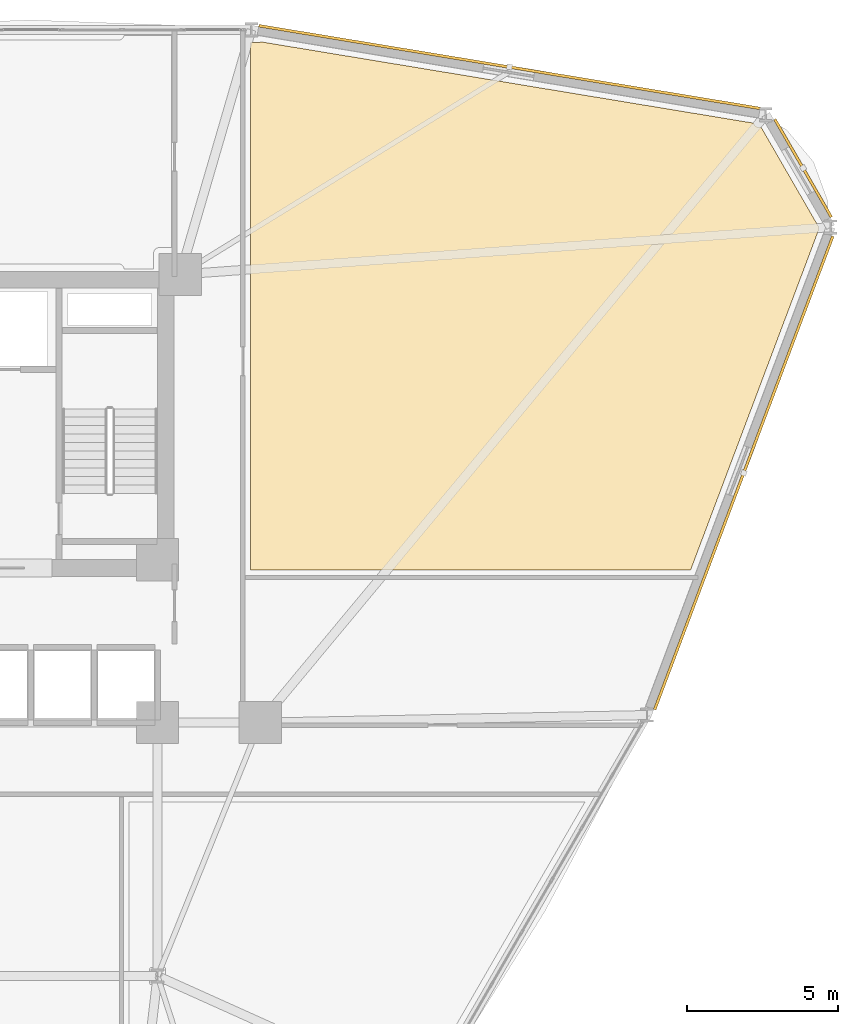
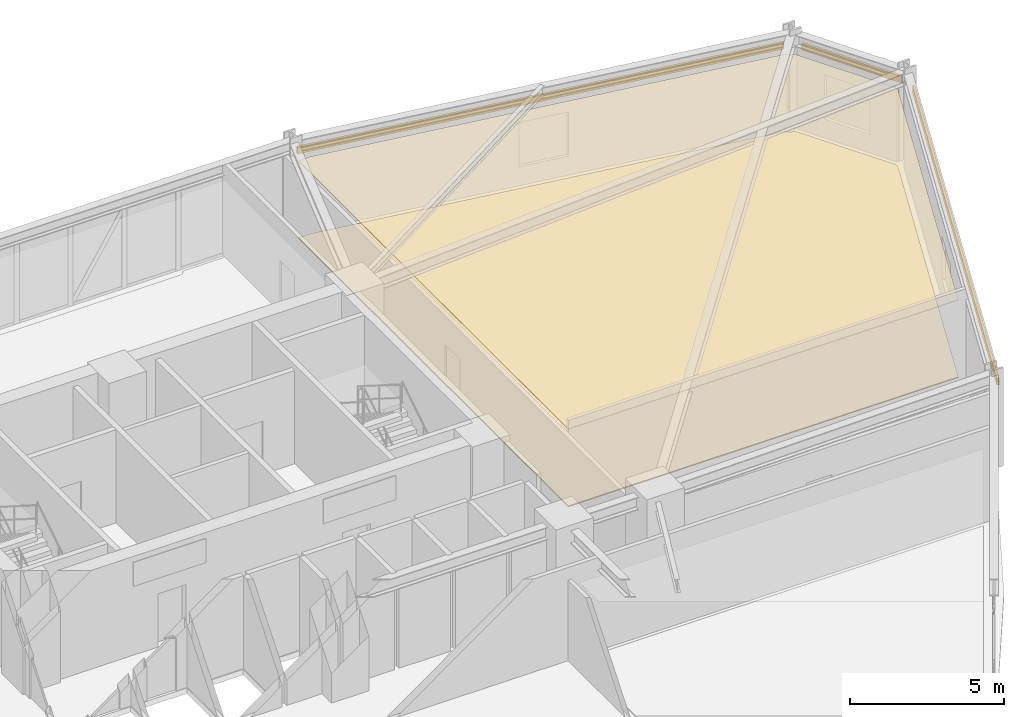
# One storey, part 20 of 20: 3 shading devices, 2 coverings.
"""IFC4 building model written with IfcOpenShell, lengths in metres."""

from ifc_helpers import new_model, si_unit, derived_unit, direction, frame, origin, origin_2d, place, context, subcontext, project, spatial, polyline, hollow_rectangle, outline, extrude, source, transform, mapped, material, layer, layer_set, material_profile, profile_set, type_object, element, save


model = new_model("IFC4")

# Units and contexts
model_context = context("Model", 3, precision=1e-05, world=origin(), true_north=direction((0.0, 1.0)))
body_context = subcontext(model_context, "Body", "Model", "MODEL_VIEW")
ifc_project = project(units=[si_unit("LENGTHUNIT", "METRE"), si_unit("AREAUNIT", "SQUARE_METRE"), si_unit("VOLUMEUNIT", "CUBIC_METRE"), si_unit("PLANEANGLEUNIT", "RADIAN"), si_unit("MASSUNIT", "GRAM", prefix="KILO"), derived_unit("THERMALTRANSMITTANCEUNIT", [(si_unit("POWERUNIT", "WATT"), 1), (si_unit("LENGTHUNIT", "METRE"), -2), (si_unit("THERMODYNAMICTEMPERATUREUNIT", "KELVIN"), -1)])], contexts=[model_context])

# Site, building, storey
site_placement = place(None, origin())
site = spatial("IfcSite", under=ifc_project, at=site_placement, CompositionType="ELEMENT")
building_placement = place(site_placement, origin())
building = spatial("IfcBuilding", under=site, at=building_placement, Name="Korsvarv Bourse and Concert Hall", CompositionType="ELEMENT")
storey_placement = place(building_placement, frame((0.0, 0.0, 91.199951171875)))
storey = spatial("IfcBuildingStorey", under=building, at=storey_placement, Name="L22", CompositionType="ELEMENT", Elevation=91.199951171875)

# Coverings
ifc_material_1 = material(Name="Perforated mineral-wool and birch acoustic baffle ceiling", Category="wood")
ifc_layer_1 = layer(ifc_material_1, 0.02490234375)
ifc_layer_set_1 = layer_set([ifc_layer_1], Name="Perforated mineral-wool and birch acoustic baffle ceiling")
covering_type_1 = type_object("IfcCoveringType", Name="COV-CEIL-1", PredefinedType="CEILING", material=ifc_layer_set_1)
covering_1_placement = place(storey_placement, frame((0.0, 0.0, 3.06005859375)))
element("IfcCovering", 1, at=covering_1_placement, inside=storey, type_object=covering_type_1, Name="L22 acoustic baffle ceiling 1", PredefinedType="CEILING", context=body_context, shape_type="SweptSolid", body=[
    extrude(outline(polyline([(64.15771484375, 52.26513671875), (64.1669921875, 52.236572265625), (64.1845703125, 52.204833984375), (64.2080078125, 52.17724609375), (64.23681640625, 52.15478515625), (64.269287109375, 52.138671875), (64.304443359375, 52.12939453125), (64.4052734375, 52.123046875), (66.302978515625, 48.835693359375), (66.302978515625, 48.716796875), (62.06201171875, 37.449951171875), (47.47998046875, 37.449951171875), (47.47998046875, 54.930908203125), (47.720947265625, 54.930908203125), (47.755859375, 54.93408203125), (47.78955078125, 54.9443359375), (47.820556640625, 54.960693359375), (64.15771484375, 52.26513671875)])), origin(), (0.0, 0.0, 1.0), 0.02490234375),
])
ifc_material_2 = material(Name="Calcium-sulphate raised access trading floor with Nordic oak top", Category="wood")
ifc_layer_2 = layer(ifc_material_2, 0.0400390625)
ifc_layer_set_2 = layer_set([ifc_layer_2], Name="Calcium-sulphate raised access trading floor with Nordic oak top")
covering_type_2 = type_object("IfcCoveringType", Name="COV-FLOR-1", PredefinedType="FLOORING", material=ifc_layer_set_2)
covering_2_placement = place(storey_placement, origin())
element("IfcCovering", 2, at=covering_2_placement, inside=storey, type_object=covering_type_2, Name="L22 raised access oak floor finish 1", PredefinedType="FLOORING", context=body_context, shape_type="SweptSolid", body=[
    extrude(outline(polyline([(64.15771484375, 52.26513671875), (64.1669921875, 52.236572265625), (64.1845703125, 52.204833984375), (64.2080078125, 52.17724609375), (64.23681640625, 52.15478515625), (64.269287109375, 52.138671875), (64.304443359375, 52.12939453125), (64.4052734375, 52.123046875), (66.302978515625, 48.835693359375), (66.302978515625, 48.716796875), (62.06201171875, 37.449951171875), (47.47998046875, 37.449951171875), (47.47998046875, 54.930908203125), (47.720947265625, 54.930908203125), (47.755859375, 54.93408203125), (47.78955078125, 54.9443359375), (47.820556640625, 54.960693359375), (64.15771484375, 52.26513671875)])), origin(), (0.0, 0.0, 1.0), 0.0400390625),
])

# Shading devices
ifc_material_3 = material(Name="Glazed extruded architectural terracotta", Category="ceramic")
ifc_material_profile = material_profile(ifc_material_3, hollow_rectangle(XDim=0.090087890625, YDim=0.260009765625, WallThickness=0.011962890625, at=origin_2d()), Name="TC-BAG 90x260")
ifc_profile_set = profile_set([ifc_material_profile], Name="Glazed extruded architectural terracotta")
shading_device_type = type_object("IfcShadingDeviceType", Name="SHD-BAG-1", PredefinedType="USERDEFINED", material=ifc_profile_set)
shared_shape_1 = source(origin(), body_context, "Body", "SweptSolid", [
    extrude(hollow_rectangle(XDim=0.090087890625, YDim=0.260009765625, WallThickness=0.011962890625, at=origin_2d()), origin(), (0.0, 0.0, 1.0), 3.7421875),
])
shading_device_1_placement = place(storey_placement, frame((66.7255859375, 49.154052734375, 3.070068359375), z_axis=(-0.500012356405, 0.866018269693, 0.0), x_axis=(-0.866018269693, -0.500012356405, 0.0)))
element("IfcShadingDevice", 3, at=shading_device_1_placement, inside=storey, type_object=shading_device_type, Name="L22 terracotta baguette sunshade EW-L22-B01", ObjectType="BAGUETTE", PredefinedType="USERDEFINED", context=body_context, shape_type="MappedRepresentation", body=[
    mapped(shared_shape_1, transform((0.0, 0.0, 0.0), scale=1.0)),
])
shared_shape_2 = source(origin(), body_context, "Body", "SweptSolid", [
    extrude(hollow_rectangle(XDim=0.090087890625, YDim=0.260009765625, WallThickness=0.011962890625, at=origin_2d()), origin(), (0.0, 0.0, 1.0), 16.83642578125),
])
shading_device_2_placement = place(storey_placement, frame((64.365966796875, 52.752685546875, 3.070068359375), z_axis=(-0.986649424809, 0.162858566012, 0.0), x_axis=(-0.162858566012, -0.986649424809, 0.0)))
element("IfcShadingDevice", 4, at=shading_device_2_placement, inside=storey, type_object=shading_device_type, Name="L22 terracotta baguette sunshade EW-L22-B02", ObjectType="BAGUETTE", PredefinedType="USERDEFINED", context=body_context, shape_type="MappedRepresentation", body=[
    mapped(shared_shape_2, transform((0.0, 0.0, 0.0), scale=1.0)),
])
shared_shape_3 = source(origin(), body_context, "Body", "SweptSolid", [
    extrude(hollow_rectangle(XDim=0.090087890625, YDim=0.260009765625, WallThickness=0.011962890625, at=origin_2d()), origin(), (0.0, 0.0, 1.0), 16.7587890625),
])
shading_device_3_placement = place(storey_placement, frame((60.873779296875, 32.831298828125, 3.070068359375), z_axis=(0.352279020809, 0.935895021622, 0.0), x_axis=(-0.935895021622, 0.352279020809, 0.0)))
element("IfcShadingDevice", 5, at=shading_device_3_placement, inside=storey, type_object=shading_device_type, Name="L22 terracotta baguette sunshade EW-L22-B12", ObjectType="BAGUETTE", PredefinedType="USERDEFINED", context=body_context, shape_type="MappedRepresentation", body=[
    mapped(shared_shape_3, transform((0.0, 0.0, 0.0), scale=1.0)),
])

save(model, "model.ifc")
